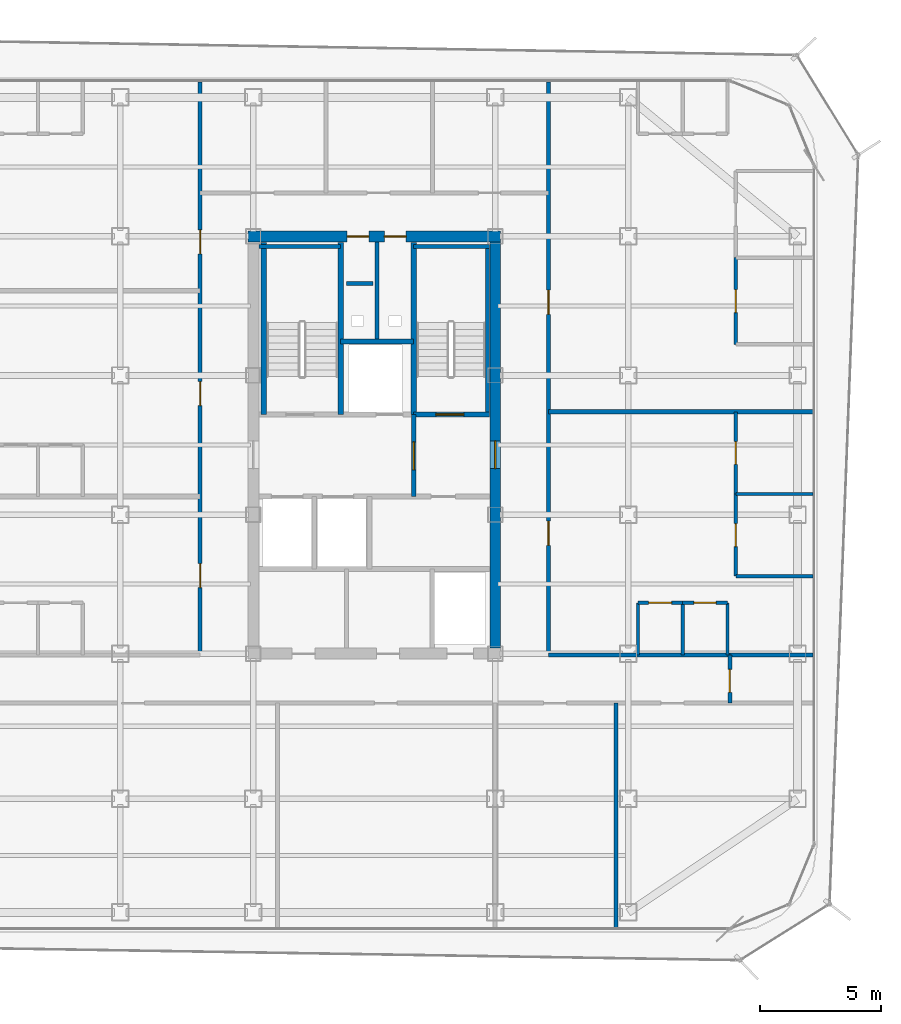
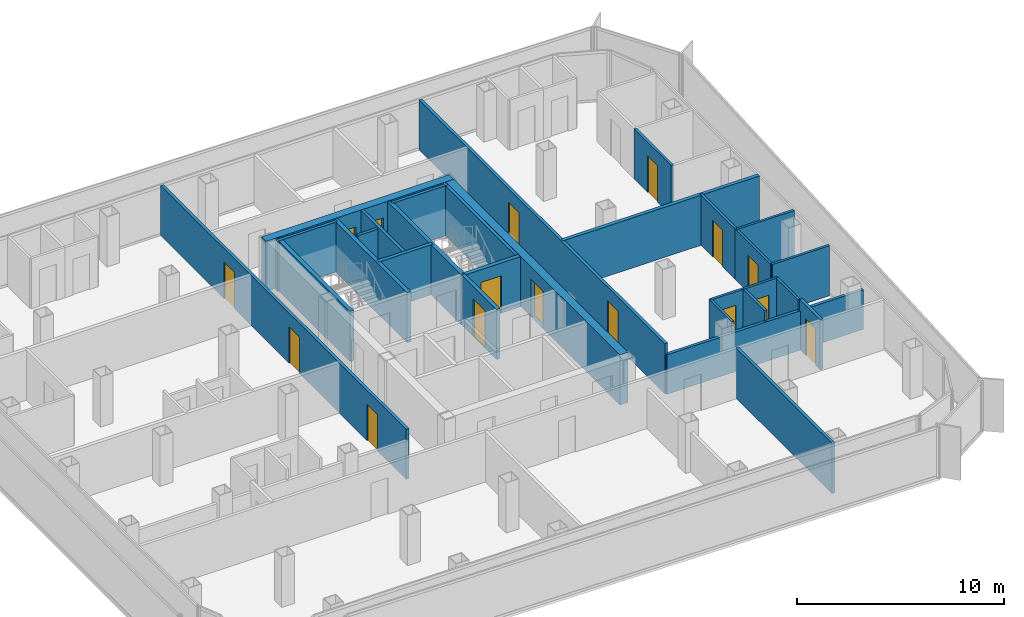
# One storey, part 11 of 15: 30 walls, 16 doors, 16 openings.
"""IFC4 building model written with IfcOpenShell, lengths in metres."""

from ifc_helpers import new_model, si_unit, direction, frame, frame_2d, origin, place, context, subcontext, project, spatial, rectangle, extrude, material, layer, layer_set, type_object, element, fill, save


model = new_model("IFC4")

# Units and contexts
model_context = context("Model", 3, precision=1e-05, world=origin(), true_north=direction((0.0, 1.0)))
body_context = subcontext(model_context, "Body", "Model", "MODEL_VIEW")
ifc_project = project(units=[si_unit("LENGTHUNIT", "METRE"), si_unit("AREAUNIT", "SQUARE_METRE"), si_unit("VOLUMEUNIT", "CUBIC_METRE"), si_unit("PLANEANGLEUNIT", "RADIAN"), si_unit("MASSUNIT", "GRAM", prefix="KILO")], contexts=[model_context])

# Site, building, storey
site_placement = place(None, origin())
site = spatial("IfcSite", under=ifc_project, at=site_placement, CompositionType="ELEMENT")
building_placement = place(site_placement, origin())
building = spatial("IfcBuilding", under=site, at=building_placement, Name="Kolveth Station Tower", CompositionType="ELEMENT")
storey_placement = place(building_placement, frame((0.0, 0.0, 172.10009765625)))
storey = spatial("IfcBuildingStorey", under=building, at=storey_placement, Name="L48", CompositionType="ELEMENT", Elevation=172.10009765625)

# Wall, openings, doors
ifc_material_1 = material(Name="Concrete C50/60", Category="concrete")
ifc_layer_1 = layer(ifc_material_1, 0.449951171875)
ifc_layer_set_1 = layer_set([ifc_layer_1], Name="Concrete C50/60")
wall_type_1 = type_object("IfcWallType", Name="Wall_CW-450", PredefinedType="SHEAR", material=ifc_layer_set_1)
wall_1_placement = place(storey_placement, frame((18.27490234375, 28.75, 0.0), z_axis=(0.0, 0.0, 1.0), x_axis=(1.0, 0.0, 0.0)))
wall_1 = element("IfcWall", 1, at=wall_1_placement, inside=storey, type_object=wall_type_1, Name="L48 Core RC Shear Wall N", PredefinedType="SHEAR", context=body_context, shape_type="SweptSolid", body=[
    extrude(rectangle(XDim=10.4501953125, YDim=0.449951171875, at=frame_2d((5.22509765625, 0.0))), origin(), (0.0, 0.0, 1.0), 2.949951171875),
])
opening_1_placement = place(wall_1_placement, frame((4.10498046875, 0.0, 0.0)))
opening_1 = element("IfcOpeningElement", 2, at=opening_1_placement, cuts=wall_1, Name="Opening RD1", PredefinedType="OPENING", context=body_context, shape_type="SweptSolid", body=[
    extrude(rectangle(XDim=0.89990234375, YDim=2.050048828125, at=frame_2d((0.449951171875, 1.02490234375))), frame((0.0, 0.23486328125, 0.0), z_axis=(0.0, -1.0, 0.0), x_axis=(1.0, 0.0, 0.0)), (0.0, 0.0, 1.0), 0.469970703125),
])
opening_2_placement = place(wall_1_placement, frame((5.64501953125, 0.0, 0.0)))
opening_2 = element("IfcOpeningElement", 3, at=opening_2_placement, cuts=wall_1, Name="Opening RD1", PredefinedType="OPENING", context=body_context, shape_type="SweptSolid", body=[
    extrude(rectangle(XDim=0.89990234375, YDim=2.050048828125, at=frame_2d((0.449951171875, 1.02490234375))), frame((0.0, 0.23486328125, 0.0), z_axis=(0.0, -1.0, 0.0), x_axis=(1.0, 0.0, 0.0)), (0.0, 0.0, 1.0), 0.469970703125),
])
ifc_material_2 = material(Name="Fire-rated Steel S355 riser access leaf", Category="steel")
door_type_1 = type_object("IfcDoorType", Name="Door_RD1", OperationType="NOTDEFINED", PredefinedType="DOOR", material=ifc_material_2)
door_1_placement = place(opening_1_placement, origin())
door_1 = element("IfcDoor", 4, at=door_1_placement, inside=storey, type_object=door_type_1, Name="L48 Electrical Riser Access Door", OperationType="SINGLE_SWING_LEFT", OverallHeight=2.050048828125, OverallWidth=0.89990234375, PredefinedType="DOOR", context=body_context, shape_type="SweptSolid", body=[
    extrude(rectangle(XDim=0.89990234375, YDim=2.050048828125, at=frame_2d((0.449951171875, 1.02490234375))), frame((0.0, 0.02490234375, 0.0), z_axis=(0.0, -1.0, 0.0), x_axis=(1.0, 0.0, 0.0)), (0.0, 0.0, 1.0), 0.050048828125),
])
fill(opening_1, door_1)
door_2_placement = place(opening_2_placement, origin())
door_2 = element("IfcDoor", 5, at=door_2_placement, inside=storey, type_object=door_type_1, Name="L48 Smoke Duct Access Door", OperationType="SINGLE_SWING_RIGHT", OverallHeight=2.050048828125, OverallWidth=0.89990234375, PredefinedType="DOOR", context=body_context, shape_type="SweptSolid", body=[
    extrude(rectangle(XDim=0.89990234375, YDim=2.050048828125, at=frame_2d((0.449951171875, 1.02490234375))), frame((0.0, 0.02490234375, 0.0), z_axis=(0.0, -1.0, 0.0), x_axis=(1.0, 0.0, 0.0)), (0.0, 0.0, 1.0), 0.050048828125),
])
fill(opening_2, door_2)

# Wall, opening, door
wall_2_placement = place(storey_placement, frame((28.5, 11.72509765625, 0.0), z_axis=(0.0, 0.0, 1.0), x_axis=(0.0, 1.0, 0.0)))
wall_2 = element("IfcWall", 6, at=wall_2_placement, inside=storey, type_object=wall_type_1, Name="L48 Core RC Shear Wall E", PredefinedType="SHEAR", context=body_context, shape_type="SweptSolid", body=[
    extrude(rectangle(XDim=16.7998046875, YDim=0.449951171875, at=frame_2d((8.39990234375, 0.0))), origin(), (0.0, 0.0, 1.0), 2.949951171875),
])
opening_3_placement = place(wall_2_placement, frame((7.425048828125, 0.0, 0.0)))
opening_3 = element("IfcOpeningElement", 7, at=opening_3_placement, cuts=wall_2, Name="Opening FD1", PredefinedType="OPENING", context=body_context, shape_type="SweptSolid", body=[
    extrude(rectangle(XDim=1.14990234375, YDim=2.199951171875, at=frame_2d((0.574951171875, 1.10009765625))), frame((0.0, 0.23486328125, 0.0), z_axis=(0.0, -1.0, 0.0), x_axis=(1.0, 0.0, 0.0)), (0.0, 0.0, 1.0), 0.469970703125),
])
ifc_material_3 = material(Name="Fire-rated Steel S355 leaf and frame", Category="steel")
door_type_2 = type_object("IfcDoorType", Name="Door_FD1", OperationType="NOTDEFINED", PredefinedType="DOOR", material=ifc_material_3)
door_3_placement = place(opening_3_placement, origin())
door_3 = element("IfcDoor", 8, at=door_3_placement, inside=storey, type_object=door_type_2, Name="L48 East Corridor to Stair Lobby Door", OperationType="SINGLE_SWING_RIGHT", OverallHeight=2.199951171875, OverallWidth=1.14990234375, PredefinedType="DOOR", context=body_context, shape_type="SweptSolid", body=[
    extrude(rectangle(XDim=1.14990234375, YDim=2.199951171875, at=frame_2d((0.574951171875, 1.10009765625))), frame((0.0, 0.02490234375, 0.0), z_axis=(0.0, -1.0, 0.0), x_axis=(1.0, 0.0, 0.0)), (0.0, 0.0, 1.0), 0.050048828125),
])
fill(opening_3, door_3)

ifc_material_4 = material(Name="Moisture-resistant gypsum partition")
ifc_layer_2 = layer(ifc_material_4, 0.135009765625)
ifc_layer_set_2 = layer_set([ifc_layer_2], Name="Moisture-resistant gypsum partition")
wall_type_2 = type_object("IfcWallType", Name="Wall_IW-135", PredefinedType="PARTITIONING", material=ifc_layer_set_2)
wall_3_placement = place(storey_placement, frame((34.39990234375, 13.60009765625, 0.0), z_axis=(0.0, 0.0, 1.0), x_axis=(1.0, 0.0, 0.0)))
wall_3 = element("IfcWall", 9, at=wall_3_placement, inside=storey, type_object=wall_type_2, Name="L48 Partition Wall WL-L48-E1-IBHK", PredefinedType="PARTITIONING", context=body_context, shape_type="SweptSolid", body=[
    extrude(rectangle(XDim=1.85009765625, YDim=0.135009765625, at=frame_2d((0.925048828125, 0.0))), origin(), (0.0, 0.0, 1.0), 2.949951171875),
])
opening_4_placement = place(wall_3_placement, frame((0.445068359375, 0.0, 0.0)))
opening_4 = element("IfcOpeningElement", 10, at=opening_4_placement, cuts=wall_3, Name="Opening ID1", PredefinedType="OPENING", context=body_context, shape_type="SweptSolid", body=[
    extrude(rectangle(XDim=0.949951171875, YDim=2.14990234375, at=frame_2d((0.47509765625, 1.074951171875))), frame((0.0, 0.077392578125, 0.0), z_axis=(0.0, -1.0, 0.0), x_axis=(1.0, 0.0, 0.0)), (0.0, 0.0, 1.0), 0.155029296875),
])
ifc_material_5 = material(Name="Acoustic hardwood leaf and aluminium frame", Category="wood")
door_type_3 = type_object("IfcDoorType", Name="Door_ID1", OperationType="NOTDEFINED", PredefinedType="DOOR", material=ifc_material_5)
door_4_placement = place(opening_4_placement, origin())
door_4 = element("IfcDoor", 11, at=door_4_placement, inside=storey, type_object=door_type_3, Name="Penthouse Flat L48-E1 Kitchen Door", OperationType="SINGLE_SWING_RIGHT", OverallHeight=2.14990234375, OverallWidth=0.949951171875, PredefinedType="DOOR", context=body_context, shape_type="SweptSolid", body=[
    extrude(rectangle(XDim=0.949951171875, YDim=2.14990234375, at=frame_2d((0.47509765625, 1.074951171875))), frame((0.0, 0.02490234375, 0.0), z_axis=(0.0, -1.0, 0.0), x_axis=(1.0, 0.0, 0.0)), (0.0, 0.0, 1.0), 0.050048828125),
])
fill(opening_4, door_4)

wall_4_placement = place(storey_placement, frame((36.25, 13.60009765625, 0.0), z_axis=(0.0, 0.0, 1.0), x_axis=(1.0, 0.0, 0.0)))
wall_4 = element("IfcWall", 12, at=wall_4_placement, inside=storey, type_object=wall_type_2, Name="L48 Partition Wall WL-L48-E1-IBHB", PredefinedType="PARTITIONING", context=body_context, shape_type="SweptSolid", body=[
    extrude(rectangle(XDim=1.85009765625, YDim=0.135009765625, at=frame_2d((0.925048828125, 0.0))), origin(), (0.0, 0.0, 1.0), 2.949951171875),
])
opening_5_placement = place(wall_4_placement, frame((0.465087890625, 0.0, 0.0)))
opening_5 = element("IfcOpeningElement", 13, at=opening_5_placement, cuts=wall_4, Name="Opening ID2", PredefinedType="OPENING", context=body_context, shape_type="SweptSolid", body=[
    extrude(rectangle(XDim=0.919921875, YDim=2.10009765625, at=frame_2d((0.4599609375, 1.050048828125))), frame((0.0, 0.077392578125, 0.0), z_axis=(0.0, -1.0, 0.0), x_axis=(1.0, 0.0, 0.0)), (0.0, 0.0, 1.0), 0.155029296875),
])
ifc_material_6 = material(Name="Moisture-resistant hardwood leaf", Category="wood")
door_type_4 = type_object("IfcDoorType", Name="Door_ID2", OperationType="NOTDEFINED", PredefinedType="DOOR", material=ifc_material_6)
door_5_placement = place(opening_5_placement, origin())
door_5 = element("IfcDoor", 14, at=door_5_placement, inside=storey, type_object=door_type_4, Name="Penthouse Flat L48-E1 Bathroom Door", OperationType="SINGLE_SWING_LEFT", OverallHeight=2.10009765625, OverallWidth=0.919921875, PredefinedType="DOOR", context=body_context, shape_type="SweptSolid", body=[
    extrude(rectangle(XDim=0.919921875, YDim=2.10009765625, at=frame_2d((0.4599609375, 1.050048828125))), frame((0.0, 0.02490234375, 0.0), z_axis=(0.0, -1.0, 0.0), x_axis=(1.0, 0.0, 0.0)), (0.0, 0.0, 1.0), 0.050048828125),
])
fill(opening_5, door_5)

# Walls
for number, where, z_axis, x_axis, name in (
    (15, (34.39990234375, 11.449951171875, 0.0), (0.0, 0.0, 1.0), (0.0, 1.0, 0.0), "L48 Partition Wall WL-L48-E1-IBV0"),
    (16, (36.25, 11.449951171875, 0.0), (0.0, 0.0, 1.0), (0.0, 1.0, 0.0), "L48 Partition Wall WL-L48-E1-IBV1"),
    (17, (38.10009765625, 11.449951171875, 0.0), (0.0, 0.0, 1.0), (0.0, 1.0, 0.0), "L48 Partition Wall WL-L48-E1-IBV2"),
):
    element("IfcWall", number, at=place(storey_placement, frame(where, z_axis=z_axis, x_axis=x_axis)), inside=storey, type_object=wall_type_2, Name=name, PredefinedType="PARTITIONING", context=body_context, shape_type="SweptSolid", body=[
        extrude(rectangle(XDim=2.150146484375, YDim=0.135009765625, at=frame_2d((1.0751953125, 0.0))), origin(), (0.0, 0.0, 1.0), 2.949951171875),
    ])
wall_5_placement = place(storey_placement, frame((38.449951171875, 14.699951171875, 0.0), z_axis=(0.0, 0.0, 1.0), x_axis=(1.0, 0.0, 0.0)))
element("IfcWall", 18, at=wall_5_placement, inside=storey, type_object=wall_type_2, Name="L48 Partition Wall WL-L48-E1-BDH0", PredefinedType="PARTITIONING", context=body_context, shape_type="SweptSolid", body=[
    extrude(rectangle(XDim=3.18994140625, YDim=0.135009765625, at=frame_2d((1.594970703125, 0.0))), origin(), (0.0, 0.0, 1.0), 2.949951171875),
])

# Wall, opening, door
wall_6_placement = place(storey_placement, frame((38.449951171875, 14.699951171875, 0.0), z_axis=(0.0, 0.0, 1.0), x_axis=(0.0, 1.0, 0.0)))
wall_6 = element("IfcWall", 19, at=wall_6_placement, inside=storey, type_object=wall_type_2, Name="L48 Partition Wall WL-L48-E1-BDV1", PredefinedType="PARTITIONING", context=body_context, shape_type="SweptSolid", body=[
    extrude(rectangle(XDim=3.400146484375, YDim=0.135009765625, at=frame_2d((1.7001953125, 0.0))), origin(), (0.0, 0.0, 1.0), 2.949951171875),
])
opening_6_placement = place(wall_6_placement, frame((1.219970703125, 0.0, 0.0)))
opening_6 = element("IfcOpeningElement", 20, at=opening_6_placement, cuts=wall_6, Name="Opening ID1", PredefinedType="OPENING", context=body_context, shape_type="SweptSolid", body=[
    extrude(rectangle(XDim=0.949951171875, YDim=2.14990234375, at=frame_2d((0.47509765625, 1.074951171875))), frame((0.0, 0.077392578125, 0.0), z_axis=(0.0, -1.0, 0.0), x_axis=(1.0, 0.0, 0.0)), (0.0, 0.0, 1.0), 0.155029296875),
])
door_6_placement = place(opening_6_placement, frame((0.949951171875, 0.0, 0.0), z_axis=(0.0, 0.0, 1.0), x_axis=(-1.0, 0.0, 0.0)))
door_6 = element("IfcDoor", 21, at=door_6_placement, inside=storey, type_object=door_type_3, Name="Penthouse Flat L48-E1 Bedroom 1 Door", OperationType="SINGLE_SWING_RIGHT", OverallHeight=2.14990234375, OverallWidth=0.949951171875, PredefinedType="DOOR", context=body_context, shape_type="SweptSolid", body=[
    extrude(rectangle(XDim=0.949951171875, YDim=2.14990234375, at=frame_2d((0.47509765625, 1.074951171875))), frame((0.0, 0.02490234375, 0.0), z_axis=(0.0, -1.0, 0.0), x_axis=(1.0, 0.0, 0.0)), (0.0, 0.0, 1.0), 0.050048828125),
])
fill(opening_6, door_6)

wall_7_placement = place(storey_placement, frame((38.449951171875, 18.10009765625, 0.0), z_axis=(0.0, 0.0, 1.0), x_axis=(0.0, 1.0, 0.0)))
wall_7 = element("IfcWall", 22, at=wall_7_placement, inside=storey, type_object=wall_type_2, Name="L48 Partition Wall WL-L48-E1-BDV2", PredefinedType="PARTITIONING", context=body_context, shape_type="SweptSolid", body=[
    extrude(rectangle(XDim=3.39990234375, YDim=0.135009765625, at=frame_2d((1.699951171875, 0.0))), origin(), (0.0, 0.0, 1.0), 2.949951171875),
])
opening_7_placement = place(wall_7_placement, frame((1.219970703125, 0.0, 0.0)))
opening_7 = element("IfcOpeningElement", 23, at=opening_7_placement, cuts=wall_7, Name="Opening ID1", PredefinedType="OPENING", context=body_context, shape_type="SweptSolid", body=[
    extrude(rectangle(XDim=0.949951171875, YDim=2.14990234375, at=frame_2d((0.47509765625, 1.074951171875))), frame((0.0, 0.077392578125, 0.0), z_axis=(0.0, -1.0, 0.0), x_axis=(1.0, 0.0, 0.0)), (0.0, 0.0, 1.0), 0.155029296875),
])
door_7_placement = place(opening_7_placement, frame((0.949951171875, 0.0, 0.0), z_axis=(0.0, 0.0, 1.0), x_axis=(-1.0, 0.0, 0.0)))
door_7 = element("IfcDoor", 24, at=door_7_placement, inside=storey, type_object=door_type_3, Name="Penthouse Flat L48-E1 Bedroom 2 Door", OperationType="SINGLE_SWING_LEFT", OverallHeight=2.14990234375, OverallWidth=0.949951171875, PredefinedType="DOOR", context=body_context, shape_type="SweptSolid", body=[
    extrude(rectangle(XDim=0.949951171875, YDim=2.14990234375, at=frame_2d((0.47509765625, 1.074951171875))), frame((0.0, 0.02490234375, 0.0), z_axis=(0.0, -1.0, 0.0), x_axis=(1.0, 0.0, 0.0)), (0.0, 0.0, 1.0), 0.050048828125),
])
fill(opening_7, door_7)

# Wall
wall_8_placement = place(storey_placement, frame((38.449951171875, 18.10009765625, 0.0), z_axis=(0.0, 0.0, 1.0), x_axis=(1.0, 0.0, 0.0)))
element("IfcWall", 25, at=wall_8_placement, inside=storey, type_object=wall_type_2, Name="L48 Partition Wall WL-L48-E1-BDH1", PredefinedType="PARTITIONING", context=body_context, shape_type="SweptSolid", body=[
    extrude(rectangle(XDim=3.18994140625, YDim=0.135009765625, at=frame_2d((1.594970703125, 0.0))), origin(), (0.0, 0.0, 1.0), 2.949951171875),
])

# Wall, opening, door
wall_9_placement = place(storey_placement, frame((38.449951171875, 24.285888671875, 0.0), z_axis=(0.0, 0.0, 1.0), x_axis=(0.0, 1.0, 0.0)))
wall_9 = element("IfcWall", 26, at=wall_9_placement, inside=storey, type_object=wall_type_2, Name="L48 Partition Wall WL-L48-E2-BDV1", PredefinedType="PARTITIONING", context=body_context, shape_type="SweptSolid", body=[
    extrude(rectangle(XDim=3.58203125, YDim=0.135009765625, at=frame_2d((1.791015625, 0.0))), origin(), (0.0, 0.0, 1.0), 2.949951171875),
])
opening_8_placement = place(wall_9_placement, frame((1.31103515625, 0.0, 0.0)))
opening_8 = element("IfcOpeningElement", 27, at=opening_8_placement, cuts=wall_9, Name="Opening ID1", PredefinedType="OPENING", context=body_context, shape_type="SweptSolid", body=[
    extrude(rectangle(XDim=0.949951171875, YDim=2.14990234375, at=frame_2d((0.47509765625, 1.074951171875))), frame((0.0, 0.077392578125, 0.0), z_axis=(0.0, -1.0, 0.0), x_axis=(1.0, 0.0, 0.0)), (0.0, 0.0, 1.0), 0.155029296875),
])
door_8_placement = place(opening_8_placement, frame((0.949951171875, 0.0, 0.0), z_axis=(0.0, 0.0, 1.0), x_axis=(-1.0, 0.0, 0.0)))
door_8 = element("IfcDoor", 28, at=door_8_placement, inside=storey, type_object=door_type_3, Name="Penthouse Flat L48-E2 Bedroom 1 Door", OperationType="SINGLE_SWING_LEFT", OverallHeight=2.14990234375, OverallWidth=0.949951171875, PredefinedType="DOOR", context=body_context, shape_type="SweptSolid", body=[
    extrude(rectangle(XDim=0.949951171875, YDim=2.14990234375, at=frame_2d((0.47509765625, 1.074951171875))), frame((0.0, 0.02490234375, 0.0), z_axis=(0.0, -1.0, 0.0), x_axis=(1.0, 0.0, 0.0)), (0.0, 0.0, 1.0), 0.050048828125),
])
fill(opening_8, door_8)

# Walls
ifc_material_7 = material(Name="Acoustic double-stud gypsum partition")
ifc_layer_3 = layer(ifc_material_7, 0.1650390625)
ifc_layer_set_3 = layer_set([ifc_layer_3], Name="Acoustic double-stud gypsum partition")
wall_type_3 = type_object("IfcWallType", Name="Wall_IW-165", PredefinedType="PARTITIONING", material=ifc_layer_set_3)
wall_10_placement = place(storey_placement, frame((18.735107421875, 28.3349609375, 0.0), z_axis=(0.0, 0.0, 1.0), x_axis=(1.0, 0.0, 0.0)))
element("IfcWall", 29, at=wall_10_placement, inside=storey, type_object=wall_type_3, Name="L48 Stair Shaft Wall WL-L48-ST1-N", PredefinedType="PARTITIONING", context=body_context, shape_type="SweptSolid", body=[
    extrude(rectangle(XDim=3.375, YDim=0.1650390625, at=frame_2d((1.6875, 0.0))), origin(), (0.0, 0.0, 1.0), 2.949951171875),
])
wall_11_placement = place(storey_placement, frame((25.1298828125, 28.3349609375, 0.0), z_axis=(0.0, 0.0, 1.0), x_axis=(1.0, 0.0, 0.0)))
element("IfcWall", 30, at=wall_11_placement, inside=storey, type_object=wall_type_3, Name="L48 Stair Shaft Wall WL-L48-ST2-N", PredefinedType="PARTITIONING", context=body_context, shape_type="SweptSolid", body=[
    extrude(rectangle(XDim=3.135009765625, YDim=0.1650390625, at=frame_2d((1.5673828125, 0.0))), origin(), (0.0, 0.0, 1.0), 2.949951171875),
])
wall_12_placement = place(storey_placement, frame((28.1826171875, 21.389892578125, 0.0), z_axis=(0.0, 0.0, 1.0), x_axis=(0.0, 1.0, 0.0)))
element("IfcWall", 31, at=wall_12_placement, inside=storey, type_object=wall_type_3, Name="L48 Stair Shaft Wall WL-L48-ST2-E", PredefinedType="PARTITIONING", context=body_context, shape_type="SweptSolid", body=[
    extrude(rectangle(XDim=6.945068359375, YDim=0.1650390625, at=frame_2d((3.47265625, 0.0))), origin(), (0.0, 0.0, 1.0), 2.949951171875),
])
wall_13_placement = place(storey_placement, frame((23.6201171875, 24.39990234375, 0.0), z_axis=(0.0, 0.0, 1.0), x_axis=(0.0, 1.0, 0.0)))
element("IfcWall", 32, at=wall_13_placement, inside=storey, type_object=wall_type_3, Name="L48 Partition Wall WL-L48-RSR-M", PredefinedType="PARTITIONING", context=body_context, shape_type="SweptSolid", body=[
    extrude(rectangle(XDim=4.114990234375, YDim=0.1650390625, at=frame_2d((2.0576171875, 0.0))), origin(), (0.0, 0.0, 1.0), 2.949951171875),
])
wall_14_placement = place(storey_placement, frame((30.699951171875, 11.449951171875, 0.0), z_axis=(0.0, 0.0, 1.0), x_axis=(1.0, 0.0, 0.0)))
element("IfcWall", 33, at=wall_14_placement, inside=storey, type_object=wall_type_3, Name="L48 Partition Wall WL-L48-RSET", PredefinedType="PARTITIONING", context=body_context, shape_type="SweptSolid", body=[
    extrude(rectangle(XDim=7.5, YDim=0.1650390625, at=frame_2d((3.75, 0.0))), origin(), (0.0, 0.0, 1.0), 2.322998046875),
])

# Wall, opening, door
wall_15_placement = place(storey_placement, frame((38.199951171875, 9.449951171875, 0.0), z_axis=(0.0, 0.0, 1.0), x_axis=(0.0, 1.0, 0.0)))
wall_15 = element("IfcWall", 34, at=wall_15_placement, inside=storey, type_object=wall_type_3, Name="L48 Partition Wall WL-L48-RSEE", PredefinedType="PARTITIONING", context=body_context, shape_type="SweptSolid", body=[
    extrude(rectangle(XDim=2.0, YDim=0.1650390625, at=frame_2d((1.0, 0.0))), origin(), (0.0, 0.0, 1.0), 2.949951171875),
])
opening_9_placement = place(wall_15_placement, frame((0.449951171875, 0.0, 0.0)))
opening_9 = element("IfcOpeningElement", 35, at=opening_9_placement, cuts=wall_15, Name="Opening ID1", PredefinedType="OPENING", context=body_context, shape_type="SweptSolid", body=[
    extrude(rectangle(XDim=0.949951171875, YDim=2.14990234375, at=frame_2d((0.47509765625, 1.074951171875))), frame((0.0, 0.092529296875, 0.0), z_axis=(0.0, -1.0, 0.0), x_axis=(1.0, 0.0, 0.0)), (0.0, 0.0, 1.0), 0.18505859375),
])
door_9_placement = place(opening_9_placement, origin())
door_9 = element("IfcDoor", 36, at=door_9_placement, inside=storey, type_object=door_type_3, Name="L48 Hobby Study Door", OperationType="SINGLE_SWING_RIGHT", OverallHeight=2.14990234375, OverallWidth=0.949951171875, PredefinedType="DOOR", context=body_context, shape_type="SweptSolid", body=[
    extrude(rectangle(XDim=0.949951171875, YDim=2.14990234375, at=frame_2d((0.47509765625, 1.074951171875))), frame((0.0, 0.02490234375, 0.0), z_axis=(0.0, -1.0, 0.0), x_axis=(1.0, 0.0, 0.0)), (0.0, 0.0, 1.0), 0.050048828125),
])
fill(opening_9, door_9)

# Wall, openings, doors
wall_16_placement = place(storey_placement, frame((16.300048828125, 11.449951171875, 0.0), z_axis=(0.0, 0.0, 1.0), x_axis=(0.0, 1.0, 0.0)))
wall_16 = element("IfcWall", 37, at=wall_16_placement, inside=storey, type_object=wall_type_3, Name="L48 Partition Wall WL-L48-RW", PredefinedType="PARTITIONING", context=body_context, shape_type="SweptSolid", body=[
    extrude(rectangle(XDim=23.68994140625, YDim=0.1650390625, at=frame_2d((11.844970703125, 0.0))), origin(), (0.0, 0.0, 1.0), 2.949951171875),
])
opening_10_placement = place(wall_16_placement, frame((2.77490234375, 0.0, 0.0)))
opening_10 = element("IfcOpeningElement", 38, at=opening_10_placement, cuts=wall_16, Name="Opening FD3", PredefinedType="OPENING", context=body_context, shape_type="SweptSolid", body=[
    extrude(rectangle(XDim=1.0, YDim=2.14990234375, at=frame_2d((0.5, 1.074951171875))), frame((0.0, 0.092529296875, 0.0), z_axis=(0.0, -1.0, 0.0), x_axis=(1.0, 0.0, 0.0)), (0.0, 0.0, 1.0), 0.18505859375),
])
opening_11_placement = place(wall_16_placement, frame((10.300048828125, 0.0, 0.0)))
opening_11 = element("IfcOpeningElement", 39, at=opening_11_placement, cuts=wall_16, Name="Opening FD3", PredefinedType="OPENING", context=body_context, shape_type="SweptSolid", body=[
    extrude(rectangle(XDim=1.0, YDim=2.14990234375, at=frame_2d((0.5, 1.074951171875))), frame((0.0, 0.092529296875, 0.0), z_axis=(0.0, -1.0, 0.0), x_axis=(1.0, 0.0, 0.0)), (0.0, 0.0, 1.0), 0.18505859375),
])
opening_12_placement = place(wall_16_placement, frame((16.574951171875, 0.0, 0.0)))
opening_12 = element("IfcOpeningElement", 40, at=opening_12_placement, cuts=wall_16, Name="Opening FD3", PredefinedType="OPENING", context=body_context, shape_type="SweptSolid", body=[
    extrude(rectangle(XDim=1.0, YDim=2.14990234375, at=frame_2d((0.5, 1.074951171875))), frame((0.0, 0.092529296875, 0.0), z_axis=(0.0, -1.0, 0.0), x_axis=(1.0, 0.0, 0.0)), (0.0, 0.0, 1.0), 0.18505859375),
])
ifc_material_8 = material(Name="Fire-rated hardwood leaf and aluminium frame", Category="wood")
door_type_5 = type_object("IfcDoorType", Name="Door_FD3", OperationType="NOTDEFINED", PredefinedType="DOOR", material=ifc_material_8)
door_10_placement = place(opening_10_placement, origin())
door_10 = element("IfcDoor", 41, at=door_10_placement, inside=storey, type_object=door_type_5, Name="Penthouse Flat L48-W1 Entrance Door", OperationType="SINGLE_SWING_LEFT", OverallHeight=2.14990234375, OverallWidth=1.0, PredefinedType="DOOR", context=body_context, shape_type="SweptSolid", body=[
    extrude(rectangle(XDim=1.0, YDim=2.14990234375, at=frame_2d((0.5, 1.074951171875))), frame((0.0, 0.02490234375, 0.0), z_axis=(0.0, -1.0, 0.0), x_axis=(1.0, 0.0, 0.0)), (0.0, 0.0, 1.0), 0.050048828125),
])
fill(opening_10, door_10)
door_11_placement = place(opening_11_placement, origin())
door_11 = element("IfcDoor", 42, at=door_11_placement, inside=storey, type_object=door_type_5, Name="Penthouse Flat L48-W2 Entrance Door", OperationType="SINGLE_SWING_LEFT", OverallHeight=2.14990234375, OverallWidth=1.0, PredefinedType="DOOR", context=body_context, shape_type="SweptSolid", body=[
    extrude(rectangle(XDim=1.0, YDim=2.14990234375, at=frame_2d((0.5, 1.074951171875))), frame((0.0, 0.02490234375, 0.0), z_axis=(0.0, -1.0, 0.0), x_axis=(1.0, 0.0, 0.0)), (0.0, 0.0, 1.0), 0.050048828125),
])
fill(opening_11, door_11)
door_12_placement = place(opening_12_placement, origin())
door_12 = element("IfcDoor", 43, at=door_12_placement, inside=storey, type_object=door_type_5, Name="Penthouse Flat L48-W3 Entrance Door", OperationType="SINGLE_SWING_LEFT", OverallHeight=2.14990234375, OverallWidth=1.0, PredefinedType="DOOR", context=body_context, shape_type="SweptSolid", body=[
    extrude(rectangle(XDim=1.0, YDim=2.14990234375, at=frame_2d((0.5, 1.074951171875))), frame((0.0, 0.02490234375, 0.0), z_axis=(0.0, -1.0, 0.0), x_axis=(1.0, 0.0, 0.0)), (0.0, 0.0, 1.0), 0.050048828125),
])
fill(opening_12, door_12)

wall_17_placement = place(storey_placement, frame((30.699951171875, 11.449951171875, 0.0), z_axis=(0.0, 0.0, 1.0), x_axis=(0.0, 1.0, 0.0)))
wall_17 = element("IfcWall", 44, at=wall_17_placement, inside=storey, type_object=wall_type_3, Name="L48 Partition Wall WL-L48-RE", PredefinedType="PARTITIONING", context=body_context, shape_type="SweptSolid", body=[
    extrude(rectangle(XDim=23.68994140625, YDim=0.1650390625, at=frame_2d((11.844970703125, 0.0))), origin(), (0.0, 0.0, 1.0), 2.949951171875),
])
opening_13_placement = place(wall_17_placement, frame((4.52490234375, 0.0, 0.0)))
opening_13 = element("IfcOpeningElement", 45, at=opening_13_placement, cuts=wall_17, Name="Opening FD3", PredefinedType="OPENING", context=body_context, shape_type="SweptSolid", body=[
    extrude(rectangle(XDim=1.0, YDim=2.14990234375, at=frame_2d((0.5, 1.074951171875))), frame((0.0, 0.092529296875, 0.0), z_axis=(0.0, -1.0, 0.0), x_axis=(1.0, 0.0, 0.0)), (0.0, 0.0, 1.0), 0.18505859375),
])
opening_14_placement = place(wall_17_placement, frame((14.074951171875, 0.0, 0.0)))
opening_14 = element("IfcOpeningElement", 46, at=opening_14_placement, cuts=wall_17, Name="Opening FD3", PredefinedType="OPENING", context=body_context, shape_type="SweptSolid", body=[
    extrude(rectangle(XDim=1.0, YDim=2.14990234375, at=frame_2d((0.5, 1.074951171875))), frame((0.0, 0.092529296875, 0.0), z_axis=(0.0, -1.0, 0.0), x_axis=(1.0, 0.0, 0.0)), (0.0, 0.0, 1.0), 0.18505859375),
])
door_13_placement = place(opening_13_placement, frame((1.0, 0.0, 0.0), z_axis=(0.0, 0.0, 1.0), x_axis=(-1.0, 0.0, 0.0)))
door_13 = element("IfcDoor", 47, at=door_13_placement, inside=storey, type_object=door_type_5, Name="Penthouse Flat L48-E1 Entrance Door", OperationType="SINGLE_SWING_RIGHT", OverallHeight=2.14990234375, OverallWidth=1.0, PredefinedType="DOOR", context=body_context, shape_type="SweptSolid", body=[
    extrude(rectangle(XDim=1.0, YDim=2.14990234375, at=frame_2d((0.5, 1.074951171875))), frame((0.0, 0.02490234375, 0.0), z_axis=(0.0, -1.0, 0.0), x_axis=(1.0, 0.0, 0.0)), (0.0, 0.0, 1.0), 0.050048828125),
])
fill(opening_13, door_13)
door_14_placement = place(opening_14_placement, frame((1.0, 0.0, 0.0), z_axis=(0.0, 0.0, 1.0), x_axis=(-1.0, 0.0, 0.0)))
door_14 = element("IfcDoor", 48, at=door_14_placement, inside=storey, type_object=door_type_5, Name="Penthouse Flat L48-E2 Entrance Door", OperationType="SINGLE_SWING_LEFT", OverallHeight=2.14990234375, OverallWidth=1.0, PredefinedType="DOOR", context=body_context, shape_type="SweptSolid", body=[
    extrude(rectangle(XDim=1.0, YDim=2.14990234375, at=frame_2d((0.5, 1.074951171875))), frame((0.0, 0.02490234375, 0.0), z_axis=(0.0, -1.0, 0.0), x_axis=(1.0, 0.0, 0.0)), (0.0, 0.0, 1.0), 0.050048828125),
])
fill(opening_14, door_14)

# Walls
wall_18_placement = place(storey_placement, frame((33.5, 0.159912109375, 0.0), z_axis=(0.0, 0.0, 1.0), x_axis=(0.0, 1.0, 0.0)))
element("IfcWall", 49, at=wall_18_placement, inside=storey, type_object=wall_type_3, Name="L48 Partition Wall WL-L48-RSA-P3", PredefinedType="PARTITIONING", context=body_context, shape_type="SweptSolid", body=[
    extrude(rectangle(XDim=9.2900390625, YDim=0.1650390625, at=frame_2d((4.64501953125, 0.0))), origin(), (0.0, 0.0, 1.0), 2.949951171875),
])
wall_19_placement = place(storey_placement, frame((38.199951171875, 11.449951171875, 0.0), z_axis=(0.0, 0.0, 1.0), x_axis=(1.0, 0.0, 0.0)))
element("IfcWall", 50, at=wall_19_placement, inside=storey, type_object=wall_type_3, Name="L48 Partition Wall WL-L48-ESTN", PredefinedType="PARTITIONING", context=body_context, shape_type="SweptSolid", body=[
    extrude(rectangle(XDim=3.43994140625, YDim=0.1650390625, at=frame_2d((1.719970703125, 0.0))), origin(), (0.0, 0.0, 1.0), 2.322998046875),
])
wall_20_placement = place(storey_placement, frame((22.35009765625, 26.800048828125, 0.0), z_axis=(0.0, 0.0, 1.0), x_axis=(1.0, 0.0, 0.0)))
element("IfcWall", 51, at=wall_20_placement, inside=storey, type_object=wall_type_3, Name="L48 Acoustic Riser Dry-Lining Wall", PredefinedType="PARTITIONING", context=body_context, shape_type="SweptSolid", body=[
    extrude(rectangle(XDim=1.099853515625, YDim=0.1650390625, at=frame_2d((0.5498046875, 0.0))), origin(), (0.0, 0.0, 1.0), 2.949951171875),
])
ifc_material_9 = material(Name="Acoustic fire-rated gypsum blockwork", Category="masonry")
ifc_layer_4 = layer(ifc_material_9, 0.199951171875)
ifc_layer_set_4 = layer_set([ifc_layer_4], Name="Acoustic fire-rated gypsum blockwork")
wall_type_4 = type_object("IfcWallType", Name="Wall_IW-200", PredefinedType="PARTITIONING", material=ifc_layer_set_4)
wall_21_placement = place(storey_placement, frame((22.110107421875, 24.39990234375, 0.0), z_axis=(0.0, 0.0, 1.0), x_axis=(1.0, 0.0, 0.0)))
element("IfcWall", 52, at=wall_21_placement, inside=storey, type_object=wall_type_4, Name="L48 Partition Wall WL-L48-RSR-S", PredefinedType="PARTITIONING", context=body_context, shape_type="SweptSolid", body=[
    extrude(rectangle(XDim=3.019775390625, YDim=0.199951171875, at=frame_2d((1.509765625, 0.0))), origin(), (0.0, 0.0, 1.0), 2.949951171875),
])

# Wall, opening, door
wall_22_placement = place(storey_placement, frame((25.1298828125, 18.0, 0.0), z_axis=(0.0, 0.0, 1.0), x_axis=(0.0, 1.0, 0.0)))
wall_22 = element("IfcWall", 53, at=wall_22_placement, inside=storey, type_object=wall_type_4, Name="L48 Partition Wall WL-L48-FFL-E", PredefinedType="PARTITIONING", context=body_context, shape_type="SweptSolid", body=[
    extrude(rectangle(XDim=3.389892578125, YDim=0.199951171875, at=frame_2d((1.69482421875, 0.0))), origin(), (0.0, 0.0, 1.0), 2.949951171875),
])
opening_15_placement = place(wall_22_placement, frame((1.10009765625, 0.0, 0.0)))
opening_15 = element("IfcOpeningElement", 54, at=opening_15_placement, cuts=wall_22, Name="Opening FD1", PredefinedType="OPENING", context=body_context, shape_type="SweptSolid", body=[
    extrude(rectangle(XDim=1.14990234375, YDim=2.199951171875, at=frame_2d((0.574951171875, 1.10009765625))), frame((0.0, 0.10986328125, 0.0), z_axis=(0.0, -1.0, 0.0), x_axis=(1.0, 0.0, 0.0)), (0.0, 0.0, 1.0), 0.219970703125),
])
door_15_placement = place(opening_15_placement, origin())
door_15 = element("IfcDoor", 55, at=door_15_placement, inside=storey, type_object=door_type_2, Name="L48 Firefighting to Stair Lobby Door", OperationType="SINGLE_SWING_LEFT", OverallHeight=2.199951171875, OverallWidth=1.14990234375, PredefinedType="DOOR", context=body_context, shape_type="SweptSolid", body=[
    extrude(rectangle(XDim=1.14990234375, YDim=2.199951171875, at=frame_2d((0.574951171875, 1.10009765625))), frame((0.0, 0.02490234375, 0.0), z_axis=(0.0, -1.0, 0.0), x_axis=(1.0, 0.0, 0.0)), (0.0, 0.0, 1.0), 0.050048828125),
])
fill(opening_15, door_15)

# Walls
wall_23_placement = place(storey_placement, frame((30.699951171875, 21.5, 0.0), z_axis=(0.0, 0.0, 1.0), x_axis=(1.0, 0.0, 0.0)))
element("IfcWall", 56, at=wall_23_placement, inside=storey, type_object=wall_type_4, Name="L48 Partition Wall WL-L48-REU-1", PredefinedType="PARTITIONING", context=body_context, shape_type="SweptSolid", body=[
    extrude(rectangle(XDim=10.93994140625, YDim=0.199951171875, at=frame_2d((5.469970703125, 0.0))), origin(), (0.0, 0.0, 1.0), 2.949951171875),
])
ifc_material_10 = material(Name="Concrete C40/50", Category="concrete")
ifc_layer_5 = layer(ifc_material_10, 0.219970703125)
ifc_layer_set_5 = layer_set([ifc_layer_5], Name="Concrete C40/50")
wall_type_5 = type_object("IfcWallType", Name="Wall_IW-220", PredefinedType="SOLIDWALL", material=ifc_layer_set_5)
for number, where, z_axis, x_axis, name in (
    (57, (18.929931640625, 21.389892578125, 0.0), (0.0, 0.0, 1.0), (0.0, 1.0, 0.0), "L48 Stair Shaft Wall WL-L48-ST1-W"),
    (58, (22.110107421875, 21.389892578125, 0.0), (0.0, 0.0, 1.0), (0.0, 1.0, 0.0), "L48 Stair Shaft Wall WL-L48-ST1-E"),
    (59, (25.1298828125, 21.389892578125, 0.0), (0.0, 0.0, 1.0), (0.0, 1.0, 0.0), "L48 Stair Shaft Wall WL-L48-ST2-W"),
):
    element("IfcWall", number, at=place(storey_placement, frame(where, z_axis=z_axis, x_axis=x_axis)), inside=storey, type_object=wall_type_5, Name=name, PredefinedType="SOLIDWALL", context=body_context, shape_type="SweptSolid", body=[
        extrude(rectangle(XDim=7.110107421875, YDim=0.219970703125, at=frame_2d((3.55517578125, 0.0))), origin(), (0.0, 0.0, 1.0), 2.949951171875),
    ])

# Wall, opening, door
wall_24_placement = place(storey_placement, frame((25.1298828125, 21.389892578125, 0.0), z_axis=(0.0, 0.0, 1.0), x_axis=(1.0, 0.0, 0.0)))
wall_24 = element("IfcWall", 60, at=wall_24_placement, inside=storey, type_object=wall_type_5, Name="L48 Stair Shaft Wall WL-L48-ST2-S", PredefinedType="SOLIDWALL", context=body_context, shape_type="SweptSolid", body=[
    extrude(rectangle(XDim=3.135009765625, YDim=0.219970703125, at=frame_2d((1.5673828125, 0.0))), origin(), (0.0, 0.0, 1.0), 2.949951171875),
])
opening_16_placement = place(wall_24_placement, frame((0.919921875, 0.0, 0.0)))
opening_16 = element("IfcOpeningElement", 61, at=opening_16_placement, cuts=wall_24, Name="Opening FD1", PredefinedType="OPENING", context=body_context, shape_type="SweptSolid", body=[
    extrude(rectangle(XDim=1.14990234375, YDim=2.199951171875, at=frame_2d((0.574951171875, 1.10009765625))), frame((0.0, 0.119873046875, 0.0), z_axis=(0.0, -1.0, 0.0), x_axis=(1.0, 0.0, 0.0)), (0.0, 0.0, 1.0), 0.239990234375),
])
door_16_placement = place(opening_16_placement, frame((1.14990234375, 0.0, 0.0), z_axis=(0.0, 0.0, 1.0), x_axis=(-1.0, 0.0, 0.0)))
door_16 = element("IfcDoor", 62, at=door_16_placement, inside=storey, type_object=door_type_2, Name="L48 Stair ST2 Fire Door", OperationType="SINGLE_SWING_RIGHT", OverallHeight=2.199951171875, OverallWidth=1.14990234375, PredefinedType="DOOR", context=body_context, shape_type="SweptSolid", body=[
    extrude(rectangle(XDim=1.14990234375, YDim=2.199951171875, at=frame_2d((0.574951171875, 1.10009765625))), frame((0.0, 0.02490234375, 0.0), z_axis=(0.0, -1.0, 0.0), x_axis=(1.0, 0.0, 0.0)), (0.0, 0.0, 1.0), 0.050048828125),
])
fill(opening_16, door_16)

save(model, "model.ifc")
